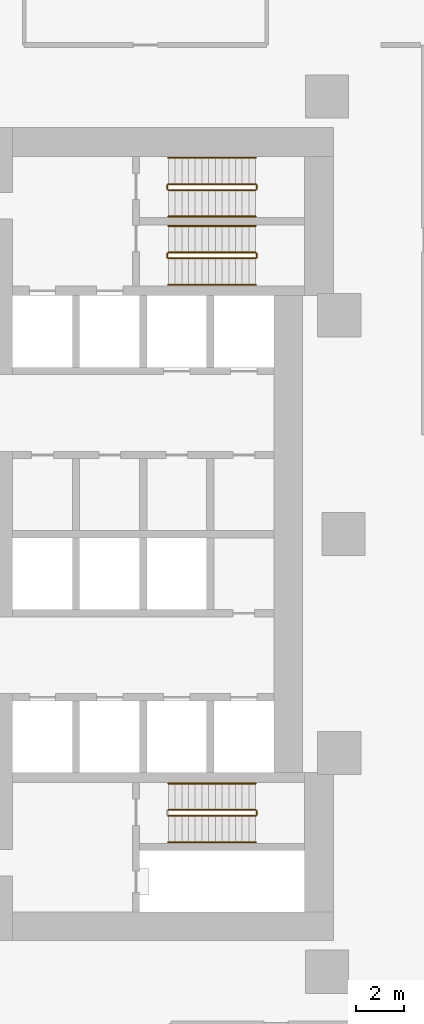
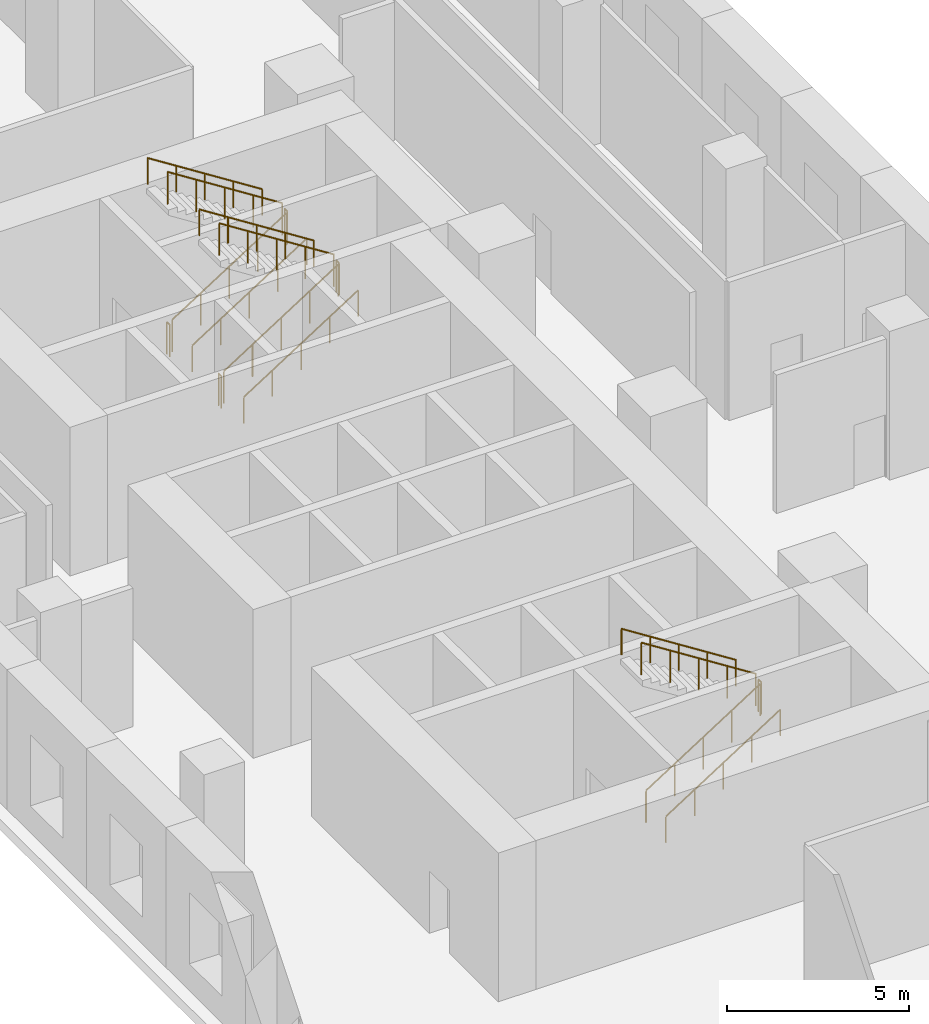
# One storey, part 10 of 11: 17 railings.
"""IFC4 building model written with IfcOpenShell, lengths in metres."""

from ifc_helpers import new_model, si_unit, direction, frame, origin, origin_2d, place, context, subcontext, project, spatial, circle, extrude, material, type_object, element, save


model = new_model("IFC4")

# Units and contexts
model_context = context("Model", 3, precision=1e-05, world=origin(), true_north=direction((0.0, 1.0)))
body_context = subcontext(model_context, "Body", "Model", "MODEL_VIEW")
ifc_project = project(units=[si_unit("LENGTHUNIT", "METRE"), si_unit("AREAUNIT", "SQUARE_METRE"), si_unit("VOLUMEUNIT", "CUBIC_METRE"), si_unit("PLANEANGLEUNIT", "RADIAN"), si_unit("MASSUNIT", "GRAM", prefix="KILO")], contexts=[model_context])

# Site, building, storey
site_placement = place(None, origin())
site = spatial("IfcSite", under=ifc_project, at=site_placement, CompositionType="ELEMENT")
building_placement = place(site_placement, origin())
building = spatial("IfcBuilding", under=site, at=building_placement, Name="Ostrand Prow Hotel Tower", CompositionType="ELEMENT")
storey_placement = place(building_placement, frame((0.0, 0.0, 19.0)))
storey = spatial("IfcBuildingStorey", under=building, at=storey_placement, Name="L03", CompositionType="ELEMENT", Elevation=19.0)

# Railings
ifc_material_1 = material(Name="Painted steel", Category="steel")
railing_type_1 = type_object("IfcRailingType", Name="Stair guard 1100", PredefinedType="GUARDRAIL", material=ifc_material_1)
railing_1_placement = place(storey_placement, frame((57.199951171875, 11.5, 0.178466796875)))
element("IfcRailing", 1, at=railing_1_placement, inside=storey, type_object=railing_type_1, Name="L03 ST1B stair guard 1", PredefinedType="GUARDRAIL", context=body_context, shape_type="SweptSolid", body=[
    extrude(circle(Radius=0.02392578125, at=origin_2d()), frame((0.0, 0.0, 1.076171875), z_axis=(0.843127859045, 0.0, 0.537713132908), x_axis=(0.0, 1.0, 0.0)), (0.0, 0.0, 1.0), 4.3173828125),
    extrude(circle(Radius=0.02099609375, at=origin_2d()), origin(), (0.0, 0.0, 1.0), 1.052001953125),
    extrude(circle(Radius=0.02099609375, at=origin_2d()), frame((0.91015625, 0.0, 0.580322265625)), (0.0, 0.0, 1.0), 1.052001953125),
    extrude(circle(Radius=0.02099609375, at=origin_2d()), frame((1.820068359375, 0.0, 1.16064453125)), (0.0, 0.0, 1.0), 1.052001953125),
    extrude(circle(Radius=0.02099609375, at=origin_2d()), frame((2.72998046875, 0.0, 1.7412109375)), (0.0, 0.0, 1.0), 1.052001953125),
    extrude(circle(Radius=0.02099609375, at=origin_2d()), frame((3.64013671875, 0.0, 2.321533203125)), (0.0, 0.0, 1.0), 1.052001953125),
])
railing_2_placement = place(storey_placement, frame((60.889892578125, 11.550048828125, 2.5)))
element("IfcRailing", 2, at=railing_2_placement, inside=storey, type_object=railing_type_1, Name="L03 ST1B stair guard 2", PredefinedType="GUARDRAIL", context=body_context, shape_type="SweptSolid", body=[
    extrude(circle(Radius=0.02392578125, at=origin_2d()), frame((0.0, 0.0, 1.076171875), z_axis=(0.0, 1.0, 0.0), x_axis=(-1.0, 0.0, 0.0)), (0.0, 0.0, 1.0), 0.14990234375),
    extrude(circle(Radius=0.02099609375, at=origin_2d()), origin(), (0.0, 0.0, 1.0), 1.052001953125),
    extrude(circle(Radius=0.02099609375, at=origin_2d()), frame((0.0, 0.14990234375, 0.0)), (0.0, 0.0, 1.0), 1.052001953125),
])
railing_3_placement = place(storey_placement, frame((60.840087890625, 11.75, 2.678466796875)))
element("IfcRailing", 3, at=railing_3_placement, inside=storey, type_object=railing_type_1, Name="L03 ST1B stair guard 3", PredefinedType="GUARDRAIL", context=body_context, shape_type="SweptSolid", body=[
    extrude(circle(Radius=0.02392578125, at=origin_2d()), frame((0.0, 0.0, 1.076171875), z_axis=(-0.843127859045, 0.0, 0.537713132908), x_axis=(0.0, -1.0, 0.0)), (0.0, 0.0, 1.0), 4.3173828125),
    extrude(circle(Radius=0.02099609375, at=origin_2d()), origin(), (0.0, 0.0, 1.0), 1.052001953125),
    extrude(circle(Radius=0.02099609375, at=origin_2d()), frame((-0.91015625, 0.0, 0.580322265625)), (0.0, 0.0, 1.0), 1.052001953125),
    extrude(circle(Radius=0.02099609375, at=origin_2d()), frame((-1.820068359375, 0.0, 1.16064453125)), (0.0, 0.0, 1.0), 1.052001953125),
    extrude(circle(Radius=0.02099609375, at=origin_2d()), frame((-2.72998046875, 0.0, 1.7412109375)), (0.0, 0.0, 1.0), 1.052001953125),
    extrude(circle(Radius=0.02099609375, at=origin_2d()), frame((-3.64013671875, 0.0, 2.321533203125)), (0.0, 0.0, 1.0), 1.052001953125),
])
railing_4_placement = place(storey_placement, frame((57.14990234375, 11.550048828125, 0.0)))
element("IfcRailing", 4, at=railing_4_placement, inside=storey, type_object=railing_type_1, Name="L03 ST1B stair guard 4", PredefinedType="GUARDRAIL", context=body_context, shape_type="SweptSolid", body=[
    extrude(circle(Radius=0.02392578125, at=origin_2d()), frame((0.0, 0.0, 1.076171875), z_axis=(0.0, 1.0, 0.0), x_axis=(-1.0, 0.0, 0.0)), (0.0, 0.0, 1.0), 0.14990234375),
    extrude(circle(Radius=0.02099609375, at=origin_2d()), origin(), (0.0, 0.0, 1.0), 1.052001953125),
    extrude(circle(Radius=0.02099609375, at=origin_2d()), frame((0.0, 0.14990234375, 0.0)), (0.0, 0.0, 1.0), 1.052001953125),
])
railing_5_placement = place(storey_placement, frame((57.199951171875, 14.35009765625, 0.178466796875)))
element("IfcRailing", 5, at=railing_5_placement, inside=storey, type_object=railing_type_1, Name="L03 ST3B stair guard 1", PredefinedType="GUARDRAIL", context=body_context, shape_type="SweptSolid", body=[
    extrude(circle(Radius=0.02392578125, at=origin_2d()), frame((0.0, 0.0, 1.076171875), z_axis=(0.843127859045, 0.0, 0.537713132908), x_axis=(0.0, 1.0, 0.0)), (0.0, 0.0, 1.0), 4.3173828125),
    extrude(circle(Radius=0.02099609375, at=origin_2d()), origin(), (0.0, 0.0, 1.0), 1.052001953125),
    extrude(circle(Radius=0.02099609375, at=origin_2d()), frame((0.91015625, 0.0, 0.580322265625)), (0.0, 0.0, 1.0), 1.052001953125),
    extrude(circle(Radius=0.02099609375, at=origin_2d()), frame((1.820068359375, 0.0, 1.16064453125)), (0.0, 0.0, 1.0), 1.052001953125),
    extrude(circle(Radius=0.02099609375, at=origin_2d()), frame((2.72998046875, 0.0, 1.7412109375)), (0.0, 0.0, 1.0), 1.052001953125),
    extrude(circle(Radius=0.02099609375, at=origin_2d()), frame((3.64013671875, 0.0, 2.321533203125)), (0.0, 0.0, 1.0), 1.052001953125),
])
railing_6_placement = place(storey_placement, frame((60.889892578125, 14.39990234375, 2.5)))
element("IfcRailing", 6, at=railing_6_placement, inside=storey, type_object=railing_type_1, Name="L03 ST3B stair guard 2", PredefinedType="GUARDRAIL", context=body_context, shape_type="SweptSolid", body=[
    extrude(circle(Radius=0.02392578125, at=origin_2d()), frame((0.0, 0.0, 1.076171875), z_axis=(0.0, 1.0, 0.0), x_axis=(-1.0, 0.0, 0.0)), (0.0, 0.0, 1.0), 0.150146484375),
    extrude(circle(Radius=0.02099609375, at=origin_2d()), origin(), (0.0, 0.0, 1.0), 1.052001953125),
    extrude(circle(Radius=0.02099609375, at=origin_2d()), frame((0.0, 0.150146484375, 0.0)), (0.0, 0.0, 1.0), 1.052001953125),
])
railing_7_placement = place(storey_placement, frame((60.840087890625, 14.60009765625, 2.678466796875)))
element("IfcRailing", 7, at=railing_7_placement, inside=storey, type_object=railing_type_1, Name="L03 ST3B stair guard 3", PredefinedType="GUARDRAIL", context=body_context, shape_type="SweptSolid", body=[
    extrude(circle(Radius=0.02392578125, at=origin_2d()), frame((0.0, 0.0, 1.076171875), z_axis=(-0.843127859045, 0.0, 0.537713132908), x_axis=(0.0, -1.0, 0.0)), (0.0, 0.0, 1.0), 4.3173828125),
    extrude(circle(Radius=0.02099609375, at=origin_2d()), origin(), (0.0, 0.0, 1.0), 1.052001953125),
    extrude(circle(Radius=0.02099609375, at=origin_2d()), frame((-0.91015625, 0.0, 0.580322265625)), (0.0, 0.0, 1.0), 1.052001953125),
    extrude(circle(Radius=0.02099609375, at=origin_2d()), frame((-1.820068359375, 0.0, 1.16064453125)), (0.0, 0.0, 1.0), 1.052001953125),
    extrude(circle(Radius=0.02099609375, at=origin_2d()), frame((-2.72998046875, 0.0, 1.7412109375)), (0.0, 0.0, 1.0), 1.052001953125),
    extrude(circle(Radius=0.02099609375, at=origin_2d()), frame((-3.64013671875, 0.0, 2.321533203125)), (0.0, 0.0, 1.0), 1.052001953125),
])
railing_8_placement = place(storey_placement, frame((57.14990234375, 14.39990234375, 0.0)))
element("IfcRailing", 8, at=railing_8_placement, inside=storey, type_object=railing_type_1, Name="L03 ST3B stair guard 4", PredefinedType="GUARDRAIL", context=body_context, shape_type="SweptSolid", body=[
    extrude(circle(Radius=0.02392578125, at=origin_2d()), frame((0.0, 0.0, 1.076171875), z_axis=(0.0, 1.0, 0.0), x_axis=(-1.0, 0.0, 0.0)), (0.0, 0.0, 1.0), 0.150146484375),
    extrude(circle(Radius=0.02099609375, at=origin_2d()), origin(), (0.0, 0.0, 1.0), 1.052001953125),
    extrude(circle(Radius=0.02099609375, at=origin_2d()), frame((0.0, 0.150146484375, 0.0)), (0.0, 0.0, 1.0), 1.052001953125),
])
railing_9_placement = place(storey_placement, frame((57.199951171875, -11.75, 0.178466796875)))
element("IfcRailing", 9, at=railing_9_placement, inside=storey, type_object=railing_type_1, Name="L03 ST2B stair guard 1", PredefinedType="GUARDRAIL", context=body_context, shape_type="SweptSolid", body=[
    extrude(circle(Radius=0.02392578125, at=origin_2d()), frame((0.0, 0.0, 1.076171875), z_axis=(0.843127859045, 0.0, 0.537713132908), x_axis=(0.0, 1.0, 0.0)), (0.0, 0.0, 1.0), 4.3173828125),
    extrude(circle(Radius=0.02099609375, at=origin_2d()), origin(), (0.0, 0.0, 1.0), 1.052001953125),
    extrude(circle(Radius=0.02099609375, at=origin_2d()), frame((0.91015625, 0.0, 0.580322265625)), (0.0, 0.0, 1.0), 1.052001953125),
    extrude(circle(Radius=0.02099609375, at=origin_2d()), frame((1.820068359375, 0.0, 1.16064453125)), (0.0, 0.0, 1.0), 1.052001953125),
    extrude(circle(Radius=0.02099609375, at=origin_2d()), frame((2.72998046875, 0.0, 1.7412109375)), (0.0, 0.0, 1.0), 1.052001953125),
    extrude(circle(Radius=0.02099609375, at=origin_2d()), frame((3.64013671875, 0.0, 2.321533203125)), (0.0, 0.0, 1.0), 1.052001953125),
])
railing_10_placement = place(storey_placement, frame((60.889892578125, -11.699951171875, 2.5)))
element("IfcRailing", 10, at=railing_10_placement, inside=storey, type_object=railing_type_1, Name="L03 ST2B stair guard 2", PredefinedType="GUARDRAIL", context=body_context, shape_type="SweptSolid", body=[
    extrude(circle(Radius=0.02392578125, at=origin_2d()), frame((0.0, 0.0, 1.076171875), z_axis=(0.0, 1.0, 0.0), x_axis=(-1.0, 0.0, 0.0)), (0.0, 0.0, 1.0), 0.14990234375),
    extrude(circle(Radius=0.02099609375, at=origin_2d()), origin(), (0.0, 0.0, 1.0), 1.052001953125),
    extrude(circle(Radius=0.02099609375, at=origin_2d()), frame((0.0, 0.14990234375, 0.0)), (0.0, 0.0, 1.0), 1.052001953125),
])
railing_11_placement = place(storey_placement, frame((60.840087890625, -11.5, 2.678466796875)))
element("IfcRailing", 11, at=railing_11_placement, inside=storey, type_object=railing_type_1, Name="L03 ST2B stair guard 3", PredefinedType="GUARDRAIL", context=body_context, shape_type="SweptSolid", body=[
    extrude(circle(Radius=0.02392578125, at=origin_2d()), frame((0.0, 0.0, 1.076171875), z_axis=(-0.843127859045, 0.0, 0.537713132908), x_axis=(0.0, -1.0, 0.0)), (0.0, 0.0, 1.0), 4.3173828125),
    extrude(circle(Radius=0.02099609375, at=origin_2d()), origin(), (0.0, 0.0, 1.0), 1.052001953125),
    extrude(circle(Radius=0.02099609375, at=origin_2d()), frame((-0.91015625, 0.0, 0.580322265625)), (0.0, 0.0, 1.0), 1.052001953125),
    extrude(circle(Radius=0.02099609375, at=origin_2d()), frame((-1.820068359375, 0.0, 1.16064453125)), (0.0, 0.0, 1.0), 1.052001953125),
    extrude(circle(Radius=0.02099609375, at=origin_2d()), frame((-2.72998046875, 0.0, 1.7412109375)), (0.0, 0.0, 1.0), 1.052001953125),
    extrude(circle(Radius=0.02099609375, at=origin_2d()), frame((-3.64013671875, 0.0, 2.321533203125)), (0.0, 0.0, 1.0), 1.052001953125),
])
ifc_material_2 = material(Name="Stainless steel", Category="steel")
railing_type_2 = type_object("IfcRailingType", Name="Stair handrail 900", PredefinedType="HANDRAIL", material=ifc_material_2)
railing_12_placement = place(storey_placement, frame((57.199951171875, 10.39990234375, 0.178466796875)))
element("IfcRailing", 12, at=railing_12_placement, inside=storey, type_object=railing_type_2, Name="L03 ST1B stair handrail 1", PredefinedType="HANDRAIL", context=body_context, shape_type="SweptSolid", body=[
    extrude(circle(Radius=0.02392578125, at=origin_2d()), frame((0.0, 0.0, 0.8759765625), z_axis=(0.843127859045, 0.0, 0.537713132908), x_axis=(0.0, 1.0, 0.0)), (0.0, 0.0, 1.0), 4.3173828125),
    extrude(circle(Radius=0.02099609375, at=origin_2d()), origin(), (0.0, 0.0, 1.0), 0.851806640625),
    extrude(circle(Radius=0.02099609375, at=origin_2d()), frame((0.91015625, 0.0, 0.580322265625)), (0.0, 0.0, 1.0), 0.851806640625),
    extrude(circle(Radius=0.02099609375, at=origin_2d()), frame((1.820068359375, 0.0, 1.16064453125)), (0.0, 0.0, 1.0), 0.851806640625),
    extrude(circle(Radius=0.02099609375, at=origin_2d()), frame((2.72998046875, 0.0, 1.7412109375)), (0.0, 0.0, 1.0), 0.851806640625),
    extrude(circle(Radius=0.02099609375, at=origin_2d()), frame((3.64013671875, 0.0, 2.321533203125)), (0.0, 0.0, 1.0), 0.851806640625),
])
railing_13_placement = place(storey_placement, frame((60.840087890625, 12.85009765625, 2.678466796875)))
element("IfcRailing", 13, at=railing_13_placement, inside=storey, type_object=railing_type_2, Name="L03 ST1B stair handrail 2", PredefinedType="HANDRAIL", context=body_context, shape_type="SweptSolid", body=[
    extrude(circle(Radius=0.02392578125, at=origin_2d()), frame((0.0, 0.0, 0.8759765625), z_axis=(-0.843127859045, 0.0, 0.537713132908), x_axis=(0.0, -1.0, 0.0)), (0.0, 0.0, 1.0), 4.3173828125),
    extrude(circle(Radius=0.02099609375, at=origin_2d()), origin(), (0.0, 0.0, 1.0), 0.851806640625),
    extrude(circle(Radius=0.02099609375, at=origin_2d()), frame((-0.91015625, 0.0, 0.580322265625)), (0.0, 0.0, 1.0), 0.851806640625),
    extrude(circle(Radius=0.02099609375, at=origin_2d()), frame((-1.820068359375, 0.0, 1.16064453125)), (0.0, 0.0, 1.0), 0.851806640625),
    extrude(circle(Radius=0.02099609375, at=origin_2d()), frame((-2.72998046875, 0.0, 1.7412109375)), (0.0, 0.0, 1.0), 0.851806640625),
    extrude(circle(Radius=0.02099609375, at=origin_2d()), frame((-3.64013671875, 0.0, 2.321533203125)), (0.0, 0.0, 1.0), 0.851806640625),
])
railing_14_placement = place(storey_placement, frame((57.199951171875, 13.25, 0.178466796875)))
element("IfcRailing", 14, at=railing_14_placement, inside=storey, type_object=railing_type_2, Name="L03 ST3B stair handrail 1", PredefinedType="HANDRAIL", context=body_context, shape_type="SweptSolid", body=[
    extrude(circle(Radius=0.02392578125, at=origin_2d()), frame((0.0, 0.0, 0.8759765625), z_axis=(0.843127859045, 0.0, 0.537713132908), x_axis=(0.0, 1.0, 0.0)), (0.0, 0.0, 1.0), 4.3173828125),
    extrude(circle(Radius=0.02099609375, at=origin_2d()), origin(), (0.0, 0.0, 1.0), 0.851806640625),
    extrude(circle(Radius=0.02099609375, at=origin_2d()), frame((0.91015625, 0.0, 0.580322265625)), (0.0, 0.0, 1.0), 0.851806640625),
    extrude(circle(Radius=0.02099609375, at=origin_2d()), frame((1.820068359375, 0.0, 1.16064453125)), (0.0, 0.0, 1.0), 0.851806640625),
    extrude(circle(Radius=0.02099609375, at=origin_2d()), frame((2.72998046875, 0.0, 1.7412109375)), (0.0, 0.0, 1.0), 0.851806640625),
    extrude(circle(Radius=0.02099609375, at=origin_2d()), frame((3.64013671875, 0.0, 2.321533203125)), (0.0, 0.0, 1.0), 0.851806640625),
])
railing_15_placement = place(storey_placement, frame((60.840087890625, 15.699951171875, 2.678466796875)))
element("IfcRailing", 15, at=railing_15_placement, inside=storey, type_object=railing_type_2, Name="L03 ST3B stair handrail 2", PredefinedType="HANDRAIL", context=body_context, shape_type="SweptSolid", body=[
    extrude(circle(Radius=0.02392578125, at=origin_2d()), frame((0.0, 0.0, 0.8759765625), z_axis=(-0.843127859045, 0.0, 0.537713132908), x_axis=(0.0, -1.0, 0.0)), (0.0, 0.0, 1.0), 4.3173828125),
    extrude(circle(Radius=0.02099609375, at=origin_2d()), origin(), (0.0, 0.0, 1.0), 0.851806640625),
    extrude(circle(Radius=0.02099609375, at=origin_2d()), frame((-0.91015625, 0.0, 0.580322265625)), (0.0, 0.0, 1.0), 0.851806640625),
    extrude(circle(Radius=0.02099609375, at=origin_2d()), frame((-1.820068359375, 0.0, 1.16064453125)), (0.0, 0.0, 1.0), 0.851806640625),
    extrude(circle(Radius=0.02099609375, at=origin_2d()), frame((-2.72998046875, 0.0, 1.7412109375)), (0.0, 0.0, 1.0), 0.851806640625),
    extrude(circle(Radius=0.02099609375, at=origin_2d()), frame((-3.64013671875, 0.0, 2.321533203125)), (0.0, 0.0, 1.0), 0.851806640625),
])
railing_16_placement = place(storey_placement, frame((57.199951171875, -12.85009765625, 0.178466796875)))
element("IfcRailing", 16, at=railing_16_placement, inside=storey, type_object=railing_type_2, Name="L03 ST2B stair handrail 1", PredefinedType="HANDRAIL", context=body_context, shape_type="SweptSolid", body=[
    extrude(circle(Radius=0.02392578125, at=origin_2d()), frame((0.0, 0.0, 0.8759765625), z_axis=(0.843127859045, 0.0, 0.537713132908), x_axis=(0.0, 1.0, 0.0)), (0.0, 0.0, 1.0), 4.3173828125),
    extrude(circle(Radius=0.02099609375, at=origin_2d()), origin(), (0.0, 0.0, 1.0), 0.851806640625),
    extrude(circle(Radius=0.02099609375, at=origin_2d()), frame((0.91015625, 0.0, 0.580322265625)), (0.0, 0.0, 1.0), 0.851806640625),
    extrude(circle(Radius=0.02099609375, at=origin_2d()), frame((1.820068359375, 0.0, 1.16064453125)), (0.0, 0.0, 1.0), 0.851806640625),
    extrude(circle(Radius=0.02099609375, at=origin_2d()), frame((2.72998046875, 0.0, 1.7412109375)), (0.0, 0.0, 1.0), 0.851806640625),
    extrude(circle(Radius=0.02099609375, at=origin_2d()), frame((3.64013671875, 0.0, 2.321533203125)), (0.0, 0.0, 1.0), 0.851806640625),
])
railing_17_placement = place(storey_placement, frame((60.840087890625, -10.39990234375, 2.678466796875)))
element("IfcRailing", 17, at=railing_17_placement, inside=storey, type_object=railing_type_2, Name="L03 ST2B stair handrail 2", PredefinedType="HANDRAIL", context=body_context, shape_type="SweptSolid", body=[
    extrude(circle(Radius=0.02392578125, at=origin_2d()), frame((0.0, 0.0, 0.8759765625), z_axis=(-0.843127859045, 0.0, 0.537713132908), x_axis=(0.0, -1.0, 0.0)), (0.0, 0.0, 1.0), 4.3173828125),
    extrude(circle(Radius=0.02099609375, at=origin_2d()), origin(), (0.0, 0.0, 1.0), 0.851806640625),
    extrude(circle(Radius=0.02099609375, at=origin_2d()), frame((-0.91015625, 0.0, 0.580322265625)), (0.0, 0.0, 1.0), 0.851806640625),
    extrude(circle(Radius=0.02099609375, at=origin_2d()), frame((-1.820068359375, 0.0, 1.16064453125)), (0.0, 0.0, 1.0), 0.851806640625),
    extrude(circle(Radius=0.02099609375, at=origin_2d()), frame((-2.72998046875, 0.0, 1.7412109375)), (0.0, 0.0, 1.0), 0.851806640625),
    extrude(circle(Radius=0.02099609375, at=origin_2d()), frame((-3.64013671875, 0.0, 2.321533203125)), (0.0, 0.0, 1.0), 0.851806640625),
])

save(model, "model.ifc")
